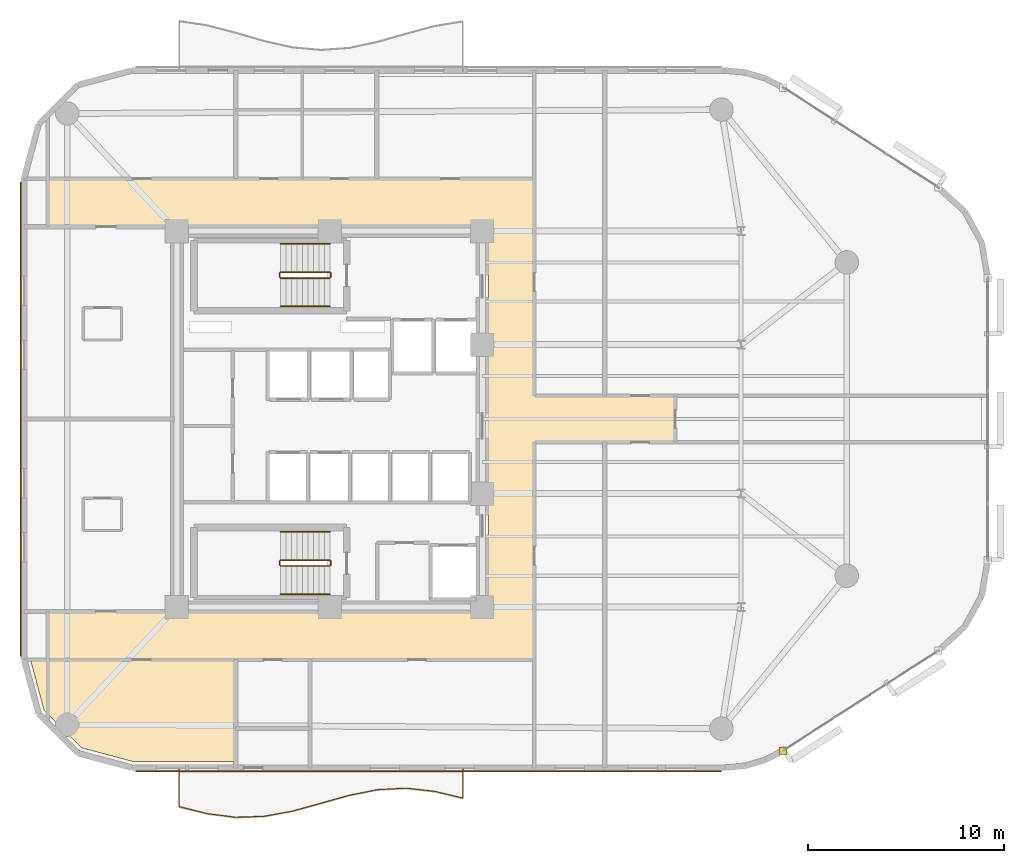
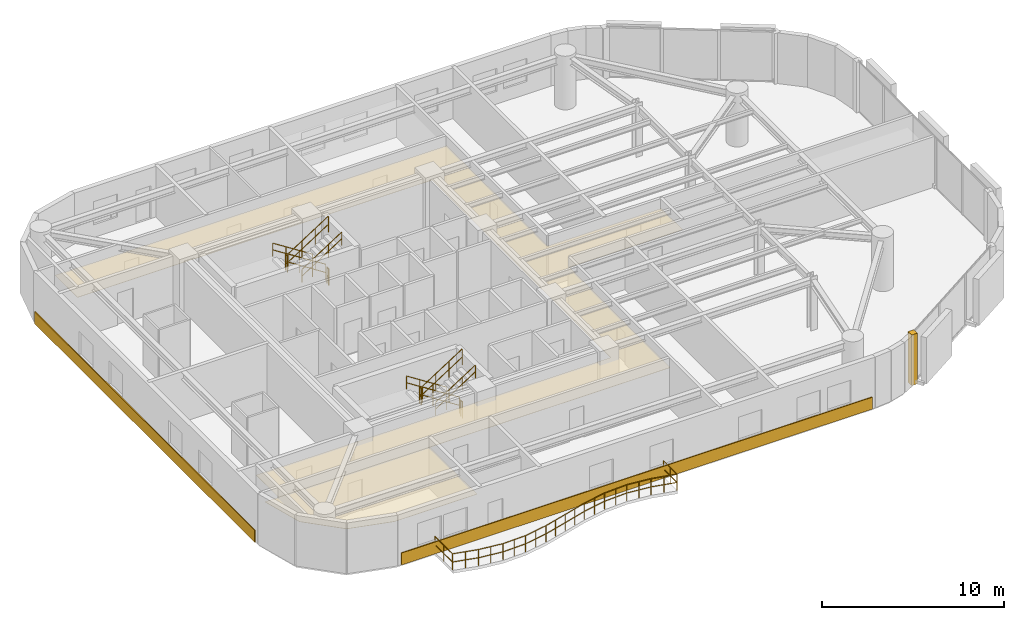
# One storey, part 14 of 15: 13 railings, 5 coverings.
"""IFC4 building model written with IfcOpenShell, lengths in metres."""

from ifc_helpers import new_model, si_unit, direction, frame, origin, origin_2d, place, context, subcontext, project, spatial, polyline, rectangle, circle, outline, extrude, material, layer, layer_set, type_object, element, save


model = new_model("IFC4")

# Units and contexts
model_context = context("Model", 3, precision=1e-05, world=origin(), true_north=direction((0.0, 1.0)))
body_context = subcontext(model_context, "Body", "Model", "MODEL_VIEW")
ifc_project = project(units=[si_unit("LENGTHUNIT", "METRE"), si_unit("AREAUNIT", "SQUARE_METRE"), si_unit("VOLUMEUNIT", "CUBIC_METRE"), si_unit("PLANEANGLEUNIT", "RADIAN"), si_unit("MASSUNIT", "GRAM", prefix="KILO")], contexts=[model_context])

# Site, building, storey
site_placement = place(None, origin())
site = spatial("IfcSite", under=ifc_project, at=site_placement, CompositionType="ELEMENT")
building_placement = place(site_placement, origin())
building = spatial("IfcBuilding", under=site, at=building_placement, Name="An Khanh Terracotta Commons", CompositionType="ELEMENT")
storey_placement = place(building_placement, frame((0.0, 0.0, 179.800048828125)))
storey = spatial("IfcBuildingStorey", under=building, at=storey_placement, Name="L47", CompositionType="ELEMENT", Elevation=179.800048828125)

# Coverings
ifc_material_1 = material(Name="Perforated Mineral-Fibre Acoustic Tile")
ifc_layer_1 = layer(ifc_material_1, 0.02001953125, Name="Perforated Mineral-Fibre Acoustic Tile")
ifc_layer_set_1 = layer_set([ifc_layer_1], Name="Perforated Mineral-Fibre Acoustic Tile")
covering_type_1 = type_object("IfcCoveringType", Name="CEIL-ACOUSTIC-18", PredefinedType="CEILING", material=ifc_layer_set_1)
covering_1_placement = place(storey_placement, frame((0.0, 0.0, 2.64990234375)))
element("IfcCovering", 1, at=covering_1_placement, inside=storey, type_object=covering_type_1, Name="L47 Corridor Ceiling", PredefinedType="CEILING", context=body_context, shape_type="SweptSolid", body=[
    extrude(outline(polyline([(15.0, 11.719970703125), (15.0, 14.179931640625), (37.5, 14.179931640625), (37.5, 33.820068359375), (15.0, 33.820068359375), (15.0, 36.280029296875), (37.5, 36.280029296875), (39.85009765625, 36.280029296875), (39.85009765625, 33.820068359375), (39.85009765625, 25.179931640625), (47.050048828125, 25.179931640625), (47.050048828125, 22.820068359375), (39.85009765625, 22.820068359375), (39.85009765625, 14.179931640625), (39.85009765625, 11.719970703125), (37.5, 11.719970703125), (15.0, 11.719970703125)])), origin(), (0.0, 0.0, 1.0), 0.02001953125),
])
covering_2_placement = place(storey_placement, frame((0.0, 0.0, 2.64990234375)))
element("IfcCovering", 2, at=covering_2_placement, inside=storey, type_object=covering_type_1, Name="L47 Academic Seminar Room Ceiling", PredefinedType="CEILING", context=body_context, shape_type="SweptSolid", body=[
    extrude(outline(polyline([(19.342041015625, 6.52001953125), (16.716064453125, 7.22412109375), (14.823974609375, 9.115966796875), (14.1259765625, 11.719970703125), (15.0, 11.719970703125), (24.60009765625, 11.719970703125), (24.60009765625, 8.199951171875), (24.60009765625, 6.52001953125), (19.342041015625, 6.52001953125)])), origin(), (0.0, 0.0, 1.0), 0.02001953125),
])
ifc_material_2 = material(Name="Fired Terracotta Rainscreen Cladding", Category="masonry")
ifc_layer_2 = layer(ifc_material_2, 0.080078125, Name="Fired Terracotta Rainscreen Cladding")
ifc_layer_set_2 = layer_set([ifc_layer_2], Name="Fired Terracotta Rainscreen Cladding")
covering_type_2 = type_object("IfcCoveringType", Name="COV-JAMB-TERRA", PredefinedType="CLADDING", material=ifc_layer_set_2)
covering_3_placement = place(storey_placement, frame((52.56005859375, 7.075927734375, 0.0), z_axis=(0.0, 0.0, 1.0), x_axis=(1.0, 0.0, 0.0)))
element("IfcCovering", 3, at=covering_3_placement, inside=storey, type_object=covering_type_2, Name="L47 CW-03 Curtain-Wall Jamb Closure JA", PredefinedType="CLADDING", context=body_context, shape_type="SweptSolid", body=[
    extrude(rectangle(XDim=0.3798828125, YDim=0.3798828125, at=origin_2d()), origin(), (0.0, 0.0, 1.0), 3.39990234375),
])
ifc_layer_3 = layer(ifc_material_2, 0.06005859375, Name="Fired Terracotta Rainscreen Cladding")
ifc_layer_set_3 = layer_set([ifc_layer_3], Name="Fired Terracotta Rainscreen Cladding")
covering_type_3 = type_object("IfcCoveringType", Name="COV-SPANDREL-TERRA", PredefinedType="CLADDING", material=ifc_layer_set_3)
covering_4_placement = place(storey_placement, frame((34.44091796875, 6.02001953125, 0.02001953125), z_axis=(0.0, 0.0, 1.0), x_axis=(1.0, 0.0, 0.0)))
element("IfcCovering", 4, at=covering_4_placement, inside=storey, type_object=covering_type_3, Name="L47 Terracotta Spandrel Cladding 4", PredefinedType="CLADDING", context=body_context, shape_type="SweptSolid", body=[
    extrude(rectangle(XDim=29.882080078125, YDim=0.06005859375, at=origin_2d()), origin(), (0.0, 0.0, 1.0), 0.800048828125),
])
covering_5_placement = place(storey_placement, frame((13.6201171875, 24.0, 0.02001953125), z_axis=(0.0, 0.0, 1.0), x_axis=(0.0, -1.0, 0.0)))
element("IfcCovering", 5, at=covering_5_placement, inside=storey, type_object=covering_type_3, Name="L47 Terracotta Spandrel Cladding 24", PredefinedType="CLADDING", context=body_context, shape_type="SweptSolid", body=[
    extrude(rectangle(XDim=24.199951171875, YDim=0.06005859375, at=origin_2d()), origin(), (0.0, 0.0, 1.0), 0.800048828125),
])

# Railings
ifc_material_3 = material(Name="Brushed Stainless Steel 316", Category="steel")
railing_type_1 = type_object("IfcRailingType", Name="RAIL-BALUSTRADE-1100", PredefinedType="BALUSTRADE", material=ifc_material_3)
railing_1_placement = place(storey_placement, frame((21.699951171875, 6.139892578125, 0.0)))
element("IfcRailing", 6, at=railing_1_placement, inside=storey, type_object=railing_type_1, Name="L47 S Wave Balcony Guard Balustrade", PredefinedType="BALUSTRADE", context=body_context, shape_type="SweptSolid", body=[
    extrude(circle(Radius=0.02392578125, at=origin_2d()), frame((0.0, 0.0, 1.076171875), z_axis=(0.0, -1.0, 0.0), x_axis=(1.0, 0.0, 0.0)), (0.0, 0.0, 1.0), 1.923828125),
    extrude(circle(Radius=0.02392578125, at=origin_2d()), frame((0.0, 0.0, 0.52587890625), z_axis=(0.0, -1.0, 0.0), x_axis=(1.0, 0.0, 0.0)), (0.0, 0.0, 1.0), 1.923828125),
    extrude(circle(Radius=0.02392578125, at=origin_2d()), frame((0.0, -1.923828125, 1.076171875), z_axis=(0.970516232323, -0.241035770782, 0.0), x_axis=(0.241035770782, 0.970516232323, 0.0)), (0.0, 0.0, 1.0), 1.493896484375),
    extrude(circle(Radius=0.02392578125, at=origin_2d()), frame((0.0, -1.923828125, 0.52587890625), z_axis=(0.970516232323, -0.241035770782, 0.0), x_axis=(0.241035770782, 0.970516232323, 0.0)), (0.0, 0.0, 1.0), 1.493896484375),
    extrude(circle(Radius=0.02392578125, at=origin_2d()), frame((1.449951171875, -2.283935546875, 1.076171875), z_axis=(0.991956026798, -0.126582940793, 0.0), x_axis=(0.126582940793, 0.991956026798, 0.0)), (0.0, 0.0, 1.0), 1.4619140625),
    extrude(circle(Radius=0.02392578125, at=origin_2d()), frame((1.449951171875, -2.283935546875, 0.52587890625), z_axis=(0.991956026798, -0.126582940793, 0.0), x_axis=(0.126582940793, 0.991956026798, 0.0)), (0.0, 0.0, 1.0), 1.4619140625),
    extrude(circle(Radius=0.02392578125, at=origin_2d()), frame((2.900146484375, -2.468994140625, 1.076171875), z_axis=(0.999450310299, 0.033152333916, 0.0), x_axis=(-0.033152333916, 0.999450310299, 0.0)), (0.0, 0.0, 1.0), 1.45068359375),
    extrude(circle(Radius=0.02392578125, at=origin_2d()), frame((2.900146484375, -2.468994140625, 0.52587890625), z_axis=(0.999450310299, 0.033152333916, 0.0), x_axis=(-0.033152333916, 0.999450310299, 0.0)), (0.0, 0.0, 1.0), 1.45068359375),
    extrude(circle(Radius=0.02392578125, at=origin_2d()), frame((4.35009765625, -2.4208984375, 1.076171875), z_axis=(0.983571778756, 0.180517467393, 0.0), x_axis=(-0.180517467393, 0.983571778756, 0.0)), (0.0, 0.0, 1.0), 1.47412109375),
    extrude(circle(Radius=0.02392578125, at=origin_2d()), frame((4.35009765625, -2.4208984375, 0.52587890625), z_axis=(0.983571778756, 0.180517467393, 0.0), x_axis=(-0.180517467393, 0.983571778756, 0.0)), (0.0, 0.0, 1.0), 1.47412109375),
    extrude(circle(Radius=0.02392578125, at=origin_2d()), frame((5.800048828125, -2.15478515625, 1.076171875), z_axis=(0.964006965361, 0.265876984216, 0.0), x_axis=(-0.265876984216, 0.964006965361, 0.0)), (0.0, 0.0, 1.0), 1.504150390625),
    extrude(circle(Radius=0.02392578125, at=origin_2d()), frame((5.800048828125, -2.15478515625, 0.52587890625), z_axis=(0.964006965361, 0.265876984216, 0.0), x_axis=(-0.265876984216, 0.964006965361, 0.0)), (0.0, 0.0, 1.0), 1.504150390625),
    extrude(circle(Radius=0.02392578125, at=origin_2d()), frame((7.25, -1.7548828125, 1.076171875), z_axis=(0.96262321196, 0.270844146689, 0.0), x_axis=(-0.270844146689, 0.96262321196, 0.0)), (0.0, 0.0, 1.0), 1.50634765625),
    extrude(circle(Radius=0.02392578125, at=origin_2d()), frame((7.25, -1.7548828125, 0.52587890625), z_axis=(0.96262321196, 0.270844146689, 0.0), x_axis=(-0.270844146689, 0.96262321196, 0.0)), (0.0, 0.0, 1.0), 1.50634765625),
    extrude(circle(Radius=0.02392578125, at=origin_2d()), frame((8.699951171875, -1.346923828125, 1.076171875), z_axis=(0.980959927552, 0.194210248283, 0.0), x_axis=(-0.194210248283, 0.980959927552, 0.0)), (0.0, 0.0, 1.0), 1.478271484375),
    extrude(circle(Radius=0.02392578125, at=origin_2d()), frame((8.699951171875, -1.346923828125, 0.52587890625), z_axis=(0.980959927552, 0.194210248283, 0.0), x_axis=(-0.194210248283, 0.980959927552, 0.0)), (0.0, 0.0, 1.0), 1.478271484375),
    extrude(circle(Radius=0.02392578125, at=origin_2d()), frame((10.150146484375, -1.059814453125, 1.076171875), z_axis=(0.998631729162, 0.052294067649, 0.0), x_axis=(-0.052294067649, 0.998631729162, 0.0)), (0.0, 0.0, 1.0), 1.451904296875),
    extrude(circle(Radius=0.02392578125, at=origin_2d()), frame((10.150146484375, -1.059814453125, 0.52587890625), z_axis=(0.998631729162, 0.052294067649, 0.0), x_axis=(-0.052294067649, 0.998631729162, 0.0)), (0.0, 0.0, 1.0), 1.451904296875),
    extrude(circle(Radius=0.02392578125, at=origin_2d()), frame((11.60009765625, -0.98388671875, 1.076171875), z_axis=(0.993973210964, -0.10962324519, 0.0), x_axis=(0.10962324519, 0.993973210964, 0.0)), (0.0, 0.0, 1.0), 1.458740234375),
    extrude(circle(Radius=0.02392578125, at=origin_2d()), frame((11.60009765625, -0.98388671875, 0.52587890625), z_axis=(0.993973210964, -0.10962324519, 0.0), x_axis=(0.10962324519, 0.993973210964, 0.0)), (0.0, 0.0, 1.0), 1.458740234375),
    extrude(circle(Radius=0.02392578125, at=origin_2d()), frame((13.050048828125, -1.143798828125, 1.076171875), z_axis=(0.972807972168, -0.231613145756, 0.0), x_axis=(0.231613145756, 0.972807972168, 0.0)), (0.0, 0.0, 1.0), 1.490478515625),
    extrude(circle(Radius=0.02392578125, at=origin_2d()), frame((13.050048828125, -1.143798828125, 0.52587890625), z_axis=(0.972807972168, -0.231613145756, 0.0), x_axis=(0.231613145756, 0.972807972168, 0.0)), (0.0, 0.0, 1.0), 1.490478515625),
    extrude(circle(Radius=0.02392578125, at=origin_2d()), frame((14.5, -1.489013671875, 1.076171875), z_axis=(0.0, 1.0, 0.0), x_axis=(-1.0, 0.0, 0.0)), (0.0, 0.0, 1.0), 1.489013671875),
    extrude(circle(Radius=0.02392578125, at=origin_2d()), frame((14.5, -1.489013671875, 0.52587890625), z_axis=(0.0, 1.0, 0.0), x_axis=(-1.0, 0.0, 0.0)), (0.0, 0.0, 1.0), 1.489013671875),
    extrude(circle(Radius=0.02099609375, at=origin_2d()), origin(), (0.0, 0.0, 1.0), 1.052001953125),
    extrude(circle(Radius=0.02099609375, at=origin_2d()), frame((0.0, -0.9619140625, 0.0)), (0.0, 0.0, 1.0), 1.052001953125),
    extrude(circle(Radius=0.02099609375, at=origin_2d()), frame((0.0, -1.923828125, 0.0)), (0.0, 0.0, 1.0), 1.052001953125),
    extrude(circle(Radius=0.02099609375, at=origin_2d()), frame((0.72509765625, -2.10400390625, 0.0)), (0.0, 0.0, 1.0), 1.052001953125),
    extrude(circle(Radius=0.02099609375, at=origin_2d()), frame((1.449951171875, -2.283935546875, 0.0)), (0.0, 0.0, 1.0), 1.052001953125),
    extrude(circle(Radius=0.02099609375, at=origin_2d()), frame((2.175048828125, -2.37646484375, 0.0)), (0.0, 0.0, 1.0), 1.052001953125),
    extrude(circle(Radius=0.02099609375, at=origin_2d()), frame((2.900146484375, -2.468994140625, 0.0)), (0.0, 0.0, 1.0), 1.052001953125),
    extrude(circle(Radius=0.02099609375, at=origin_2d()), frame((3.625, -2.44482421875, 0.0)), (0.0, 0.0, 1.0), 1.052001953125),
    extrude(circle(Radius=0.02099609375, at=origin_2d()), frame((4.35009765625, -2.4208984375, 0.0)), (0.0, 0.0, 1.0), 1.052001953125),
    extrude(circle(Radius=0.02099609375, at=origin_2d()), frame((5.0751953125, -2.287841796875, 0.0)), (0.0, 0.0, 1.0), 1.052001953125),
    extrude(circle(Radius=0.02099609375, at=origin_2d()), frame((5.800048828125, -2.15478515625, 0.0)), (0.0, 0.0, 1.0), 1.052001953125),
    extrude(circle(Radius=0.02099609375, at=origin_2d()), frame((6.52490234375, -1.954833984375, 0.0)), (0.0, 0.0, 1.0), 1.052001953125),
    extrude(circle(Radius=0.02099609375, at=origin_2d()), frame((7.25, -1.7548828125, 0.0)), (0.0, 0.0, 1.0), 1.052001953125),
    extrude(circle(Radius=0.02099609375, at=origin_2d()), frame((7.97509765625, -1.55078125, 0.0)), (0.0, 0.0, 1.0), 1.052001953125),
    extrude(circle(Radius=0.02099609375, at=origin_2d()), frame((8.699951171875, -1.346923828125, 0.0)), (0.0, 0.0, 1.0), 1.052001953125),
    extrude(circle(Radius=0.02099609375, at=origin_2d()), frame((9.425048828125, -1.203369140625, 0.0)), (0.0, 0.0, 1.0), 1.052001953125),
    extrude(circle(Radius=0.02099609375, at=origin_2d()), frame((10.150146484375, -1.059814453125, 0.0)), (0.0, 0.0, 1.0), 1.052001953125),
    extrude(circle(Radius=0.02099609375, at=origin_2d()), frame((10.875, -1.02197265625, 0.0)), (0.0, 0.0, 1.0), 1.052001953125),
    extrude(circle(Radius=0.02099609375, at=origin_2d()), frame((11.60009765625, -0.98388671875, 0.0)), (0.0, 0.0, 1.0), 1.052001953125),
    extrude(circle(Radius=0.02099609375, at=origin_2d()), frame((12.3251953125, -1.06396484375, 0.0)), (0.0, 0.0, 1.0), 1.052001953125),
    extrude(circle(Radius=0.02099609375, at=origin_2d()), frame((13.050048828125, -1.143798828125, 0.0)), (0.0, 0.0, 1.0), 1.052001953125),
    extrude(circle(Radius=0.02099609375, at=origin_2d()), frame((13.77490234375, -1.31640625, 0.0)), (0.0, 0.0, 1.0), 1.052001953125),
    extrude(circle(Radius=0.02099609375, at=origin_2d()), frame((14.5, -1.489013671875, 0.0)), (0.0, 0.0, 1.0), 1.052001953125),
    extrude(circle(Radius=0.02099609375, at=origin_2d()), frame((14.5, -0.74462890625, 0.0)), (0.0, 0.0, 1.0), 1.052001953125),
    extrude(circle(Radius=0.02099609375, at=origin_2d()), frame((14.5, 0.0, 0.0)), (0.0, 0.0, 1.0), 1.052001953125),
])
railing_type_2 = type_object("IfcRailingType", Name="RAIL-HANDRAIL-900", PredefinedType="HANDRAIL", material=ifc_material_3)
railing_2_placement = place(storey_placement, frame((29.409912109375, 32.949951171875, 0.179931640625)))
element("IfcRailing", 7, at=railing_2_placement, inside=storey, type_object=railing_type_2, Name="L47 ST-01 stair handrail 1", PredefinedType="HANDRAIL", context=body_context, shape_type="SweptSolid", body=[
    extrude(circle(Radius=0.02392578125, at=origin_2d()), frame((0.0, 0.0, 0.8759765625), z_axis=(-0.841162588446, 0.0, 0.540782303519), x_axis=(0.0, -1.0, 0.0)), (0.0, 0.0, 1.0), 2.995849609375),
    extrude(circle(Radius=0.02392578125, at=origin_2d()), frame((0.0, 0.0, 0.42578125), z_axis=(-0.841162588446, 0.0, 0.540782303519), x_axis=(0.0, -1.0, 0.0)), (0.0, 0.0, 1.0), 2.995849609375),
    extrude(circle(Radius=0.02099609375, at=origin_2d()), origin(), (0.0, 0.0, 1.0), 0.851806640625),
    extrude(circle(Radius=0.02099609375, at=origin_2d()), frame((-0.840087890625, 0.0, 0.5400390625)), (0.0, 0.0, 1.0), 0.851806640625),
    extrude(circle(Radius=0.02099609375, at=origin_2d()), frame((-1.679931640625, 0.0, 1.080078125)), (0.0, 0.0, 1.0), 0.851806640625),
    extrude(circle(Radius=0.02099609375, at=origin_2d()), frame((-2.52001953125, 0.0, 1.6201171875)), (0.0, 0.0, 1.0), 0.851806640625),
])
railing_3_placement = place(storey_placement, frame((26.889892578125, 29.75, 1.97998046875)))
element("IfcRailing", 8, at=railing_3_placement, inside=storey, type_object=railing_type_2, Name="L47 ST-01 stair handrail 2", PredefinedType="HANDRAIL", context=body_context, shape_type="SweptSolid", body=[
    extrude(circle(Radius=0.02392578125, at=origin_2d()), frame((0.0, 0.0, 0.8759765625), z_axis=(0.841199657755, 0.0, 0.540724639528), x_axis=(0.0, 1.0, 0.0)), (0.0, 0.0, 1.0), 2.995849609375),
    extrude(circle(Radius=0.02392578125, at=origin_2d()), frame((0.0, 0.0, 0.42578125), z_axis=(0.841199657755, 0.0, 0.540724639528), x_axis=(0.0, 1.0, 0.0)), (0.0, 0.0, 1.0), 2.995849609375),
    extrude(circle(Radius=0.02099609375, at=origin_2d()), origin(), (0.0, 0.0, 1.0), 0.851806640625),
    extrude(circle(Radius=0.02099609375, at=origin_2d()), frame((0.840087890625, 0.0, 0.5400390625)), (0.0, 0.0, 1.0), 0.851806640625),
    extrude(circle(Radius=0.02099609375, at=origin_2d()), frame((1.679931640625, 0.0, 1.079833984375)), (0.0, 0.0, 1.0), 0.851806640625),
    extrude(circle(Radius=0.02099609375, at=origin_2d()), frame((2.52001953125, 0.0, 1.619873046875)), (0.0, 0.0, 1.0), 0.851806640625),
])
railing_4_placement = place(storey_placement, frame((29.409912109375, 18.25, 0.179931640625)))
element("IfcRailing", 9, at=railing_4_placement, inside=storey, type_object=railing_type_2, Name="L47 ST-02 stair handrail 1", PredefinedType="HANDRAIL", context=body_context, shape_type="SweptSolid", body=[
    extrude(circle(Radius=0.02392578125, at=origin_2d()), frame((0.0, 0.0, 0.8759765625), z_axis=(-0.841162588446, 0.0, 0.540782303519), x_axis=(0.0, -1.0, 0.0)), (0.0, 0.0, 1.0), 2.995849609375),
    extrude(circle(Radius=0.02392578125, at=origin_2d()), frame((0.0, 0.0, 0.42578125), z_axis=(-0.841162588446, 0.0, 0.540782303519), x_axis=(0.0, -1.0, 0.0)), (0.0, 0.0, 1.0), 2.995849609375),
    extrude(circle(Radius=0.02099609375, at=origin_2d()), origin(), (0.0, 0.0, 1.0), 0.851806640625),
    extrude(circle(Radius=0.02099609375, at=origin_2d()), frame((-0.840087890625, 0.0, 0.5400390625)), (0.0, 0.0, 1.0), 0.851806640625),
    extrude(circle(Radius=0.02099609375, at=origin_2d()), frame((-1.679931640625, 0.0, 1.080078125)), (0.0, 0.0, 1.0), 0.851806640625),
    extrude(circle(Radius=0.02099609375, at=origin_2d()), frame((-2.52001953125, 0.0, 1.6201171875)), (0.0, 0.0, 1.0), 0.851806640625),
])
railing_5_placement = place(storey_placement, frame((26.889892578125, 15.050048828125, 1.97998046875)))
element("IfcRailing", 10, at=railing_5_placement, inside=storey, type_object=railing_type_2, Name="L47 ST-02 stair handrail 2", PredefinedType="HANDRAIL", context=body_context, shape_type="SweptSolid", body=[
    extrude(circle(Radius=0.02392578125, at=origin_2d()), frame((0.0, 0.0, 0.8759765625), z_axis=(0.841199657755, 0.0, 0.540724639528), x_axis=(0.0, 1.0, 0.0)), (0.0, 0.0, 1.0), 2.995849609375),
    extrude(circle(Radius=0.02392578125, at=origin_2d()), frame((0.0, 0.0, 0.42578125), z_axis=(0.841199657755, 0.0, 0.540724639528), x_axis=(0.0, 1.0, 0.0)), (0.0, 0.0, 1.0), 2.995849609375),
    extrude(circle(Radius=0.02099609375, at=origin_2d()), origin(), (0.0, 0.0, 1.0), 0.851806640625),
    extrude(circle(Radius=0.02099609375, at=origin_2d()), frame((0.840087890625, 0.0, 0.5400390625)), (0.0, 0.0, 1.0), 0.851806640625),
    extrude(circle(Radius=0.02099609375, at=origin_2d()), frame((1.679931640625, 0.0, 1.079833984375)), (0.0, 0.0, 1.0), 0.851806640625),
    extrude(circle(Radius=0.02099609375, at=origin_2d()), frame((2.52001953125, 0.0, 1.619873046875)), (0.0, 0.0, 1.0), 0.851806640625),
])
ifc_material_4 = material(Name="Powder-Coated Steel S355J2", Category="steel")
railing_type_3 = type_object("IfcRailingType", Name="RAIL-STAIR-GUARD-1100", PredefinedType="BALUSTRADE", material=ifc_material_4)
railing_6_placement = place(storey_placement, frame((29.409912109375, 31.5, 0.179931640625)))
element("IfcRailing", 11, at=railing_6_placement, inside=storey, type_object=railing_type_3, Name="L47 ST-01 stair guard 1", PredefinedType="BALUSTRADE", context=body_context, shape_type="SweptSolid", body=[
    extrude(circle(Radius=0.02392578125, at=origin_2d()), frame((0.0, 0.0, 1.076171875), z_axis=(-0.841162588446, 0.0, 0.540782303519), x_axis=(0.0, -1.0, 0.0)), (0.0, 0.0, 1.0), 2.995849609375),
    extrude(circle(Radius=0.02392578125, at=origin_2d()), frame((0.0, 0.0, 0.52587890625), z_axis=(-0.841162588446, 0.0, 0.540782303519), x_axis=(0.0, -1.0, 0.0)), (0.0, 0.0, 1.0), 2.995849609375),
    extrude(circle(Radius=0.02099609375, at=origin_2d()), origin(), (0.0, 0.0, 1.0), 1.052001953125),
    extrude(circle(Radius=0.02099609375, at=origin_2d()), frame((-0.840087890625, 0.0, 0.5400390625)), (0.0, 0.0, 1.0), 1.052001953125),
    extrude(circle(Radius=0.02099609375, at=origin_2d()), frame((-1.679931640625, 0.0, 1.080078125)), (0.0, 0.0, 1.0), 1.052001953125),
    extrude(circle(Radius=0.02099609375, at=origin_2d()), frame((-2.52001953125, 0.0, 1.6201171875)), (0.0, 0.0, 1.0), 1.052001953125),
])
railing_7_placement = place(storey_placement, frame((26.840087890625, 31.449951171875, 1.800048828125)))
element("IfcRailing", 12, at=railing_7_placement, inside=storey, type_object=railing_type_3, Name="L47 ST-01 stair guard 2", PredefinedType="BALUSTRADE", context=body_context, shape_type="SweptSolid", body=[
    extrude(circle(Radius=0.02392578125, at=origin_2d()), frame((0.0, 0.0, 1.076171875), z_axis=(0.0, -1.0, 0.0), x_axis=(1.0, 0.0, 0.0)), (0.0, 0.0, 1.0), 0.199951171875),
    extrude(circle(Radius=0.02392578125, at=origin_2d()), frame((0.0, 0.0, 0.52587890625), z_axis=(0.0, -1.0, 0.0), x_axis=(1.0, 0.0, 0.0)), (0.0, 0.0, 1.0), 0.199951171875),
    extrude(circle(Radius=0.02099609375, at=origin_2d()), origin(), (0.0, 0.0, 1.0), 1.052001953125),
    extrude(circle(Radius=0.02099609375, at=origin_2d()), frame((0.0, -0.199951171875, 0.0)), (0.0, 0.0, 1.0), 1.052001953125),
])
railing_8_placement = place(storey_placement, frame((26.889892578125, 31.199951171875, 1.97998046875)))
element("IfcRailing", 13, at=railing_8_placement, inside=storey, type_object=railing_type_3, Name="L47 ST-01 stair guard 3", PredefinedType="BALUSTRADE", context=body_context, shape_type="SweptSolid", body=[
    extrude(circle(Radius=0.02392578125, at=origin_2d()), frame((0.0, 0.0, 1.076171875), z_axis=(0.841199657755, 0.0, 0.540724639528), x_axis=(0.0, 1.0, 0.0)), (0.0, 0.0, 1.0), 2.995849609375),
    extrude(circle(Radius=0.02392578125, at=origin_2d()), frame((0.0, 0.0, 0.52587890625), z_axis=(0.841199657755, 0.0, 0.540724639528), x_axis=(0.0, 1.0, 0.0)), (0.0, 0.0, 1.0), 2.995849609375),
    extrude(circle(Radius=0.02099609375, at=origin_2d()), origin(), (0.0, 0.0, 1.0), 1.052001953125),
    extrude(circle(Radius=0.02099609375, at=origin_2d()), frame((0.840087890625, 0.0, 0.5400390625)), (0.0, 0.0, 1.0), 1.052001953125),
    extrude(circle(Radius=0.02099609375, at=origin_2d()), frame((1.679931640625, 0.0, 1.079833984375)), (0.0, 0.0, 1.0), 1.052001953125),
    extrude(circle(Radius=0.02099609375, at=origin_2d()), frame((2.52001953125, 0.0, 1.619873046875)), (0.0, 0.0, 1.0), 1.052001953125),
])
railing_9_placement = place(storey_placement, frame((29.4599609375, 31.449951171875, 0.0)))
element("IfcRailing", 14, at=railing_9_placement, inside=storey, type_object=railing_type_3, Name="L47 ST-01 stair guard 4", PredefinedType="BALUSTRADE", context=body_context, shape_type="SweptSolid", body=[
    extrude(circle(Radius=0.02392578125, at=origin_2d()), frame((0.0, 0.0, 1.076171875), z_axis=(0.0, -1.0, 0.0), x_axis=(1.0, 0.0, 0.0)), (0.0, 0.0, 1.0), 0.199951171875),
    extrude(circle(Radius=0.02392578125, at=origin_2d()), frame((0.0, 0.0, 0.52587890625), z_axis=(0.0, -1.0, 0.0), x_axis=(1.0, 0.0, 0.0)), (0.0, 0.0, 1.0), 0.199951171875),
    extrude(circle(Radius=0.02099609375, at=origin_2d()), origin(), (0.0, 0.0, 1.0), 1.052001953125),
    extrude(circle(Radius=0.02099609375, at=origin_2d()), frame((0.0, -0.199951171875, 0.0)), (0.0, 0.0, 1.0), 1.052001953125),
])
railing_10_placement = place(storey_placement, frame((29.409912109375, 16.800048828125, 0.179931640625)))
element("IfcRailing", 15, at=railing_10_placement, inside=storey, type_object=railing_type_3, Name="L47 ST-02 stair guard 1", PredefinedType="BALUSTRADE", context=body_context, shape_type="SweptSolid", body=[
    extrude(circle(Radius=0.02392578125, at=origin_2d()), frame((0.0, 0.0, 1.076171875), z_axis=(-0.841162588446, 0.0, 0.540782303519), x_axis=(0.0, -1.0, 0.0)), (0.0, 0.0, 1.0), 2.995849609375),
    extrude(circle(Radius=0.02392578125, at=origin_2d()), frame((0.0, 0.0, 0.52587890625), z_axis=(-0.841162588446, 0.0, 0.540782303519), x_axis=(0.0, -1.0, 0.0)), (0.0, 0.0, 1.0), 2.995849609375),
    extrude(circle(Radius=0.02099609375, at=origin_2d()), origin(), (0.0, 0.0, 1.0), 1.052001953125),
    extrude(circle(Radius=0.02099609375, at=origin_2d()), frame((-0.840087890625, 0.0, 0.5400390625)), (0.0, 0.0, 1.0), 1.052001953125),
    extrude(circle(Radius=0.02099609375, at=origin_2d()), frame((-1.679931640625, 0.0, 1.080078125)), (0.0, 0.0, 1.0), 1.052001953125),
    extrude(circle(Radius=0.02099609375, at=origin_2d()), frame((-2.52001953125, 0.0, 1.6201171875)), (0.0, 0.0, 1.0), 1.052001953125),
])
railing_11_placement = place(storey_placement, frame((26.840087890625, 16.75, 1.800048828125)))
element("IfcRailing", 16, at=railing_11_placement, inside=storey, type_object=railing_type_3, Name="L47 ST-02 stair guard 2", PredefinedType="BALUSTRADE", context=body_context, shape_type="SweptSolid", body=[
    extrude(circle(Radius=0.02392578125, at=origin_2d()), frame((0.0, 0.0, 1.076171875), z_axis=(0.0, -1.0, 0.0), x_axis=(1.0, 0.0, 0.0)), (0.0, 0.0, 1.0), 0.199951171875),
    extrude(circle(Radius=0.02392578125, at=origin_2d()), frame((0.0, 0.0, 0.52587890625), z_axis=(0.0, -1.0, 0.0), x_axis=(1.0, 0.0, 0.0)), (0.0, 0.0, 1.0), 0.199951171875),
    extrude(circle(Radius=0.02099609375, at=origin_2d()), origin(), (0.0, 0.0, 1.0), 1.052001953125),
    extrude(circle(Radius=0.02099609375, at=origin_2d()), frame((0.0, -0.199951171875, 0.0)), (0.0, 0.0, 1.0), 1.052001953125),
])
railing_12_placement = place(storey_placement, frame((26.889892578125, 16.5, 1.97998046875)))
element("IfcRailing", 17, at=railing_12_placement, inside=storey, type_object=railing_type_3, Name="L47 ST-02 stair guard 3", PredefinedType="BALUSTRADE", context=body_context, shape_type="SweptSolid", body=[
    extrude(circle(Radius=0.02392578125, at=origin_2d()), frame((0.0, 0.0, 1.076171875), z_axis=(0.841199657755, 0.0, 0.540724639528), x_axis=(0.0, 1.0, 0.0)), (0.0, 0.0, 1.0), 2.995849609375),
    extrude(circle(Radius=0.02392578125, at=origin_2d()), frame((0.0, 0.0, 0.52587890625), z_axis=(0.841199657755, 0.0, 0.540724639528), x_axis=(0.0, 1.0, 0.0)), (0.0, 0.0, 1.0), 2.995849609375),
    extrude(circle(Radius=0.02099609375, at=origin_2d()), origin(), (0.0, 0.0, 1.0), 1.052001953125),
    extrude(circle(Radius=0.02099609375, at=origin_2d()), frame((0.840087890625, 0.0, 0.5400390625)), (0.0, 0.0, 1.0), 1.052001953125),
    extrude(circle(Radius=0.02099609375, at=origin_2d()), frame((1.679931640625, 0.0, 1.079833984375)), (0.0, 0.0, 1.0), 1.052001953125),
    extrude(circle(Radius=0.02099609375, at=origin_2d()), frame((2.52001953125, 0.0, 1.619873046875)), (0.0, 0.0, 1.0), 1.052001953125),
])
railing_13_placement = place(storey_placement, frame((29.4599609375, 16.75, 0.0)))
element("IfcRailing", 18, at=railing_13_placement, inside=storey, type_object=railing_type_3, Name="L47 ST-02 stair guard 4", PredefinedType="BALUSTRADE", context=body_context, shape_type="SweptSolid", body=[
    extrude(circle(Radius=0.02392578125, at=origin_2d()), frame((0.0, 0.0, 1.076171875), z_axis=(0.0, -1.0, 0.0), x_axis=(1.0, 0.0, 0.0)), (0.0, 0.0, 1.0), 0.199951171875),
    extrude(circle(Radius=0.02392578125, at=origin_2d()), frame((0.0, 0.0, 0.52587890625), z_axis=(0.0, -1.0, 0.0), x_axis=(1.0, 0.0, 0.0)), (0.0, 0.0, 1.0), 0.199951171875),
    extrude(circle(Radius=0.02099609375, at=origin_2d()), origin(), (0.0, 0.0, 1.0), 1.052001953125),
    extrude(circle(Radius=0.02099609375, at=origin_2d()), frame((0.0, -0.199951171875, 0.0)), (0.0, 0.0, 1.0), 1.052001953125),
])

save(model, "model.ifc")
